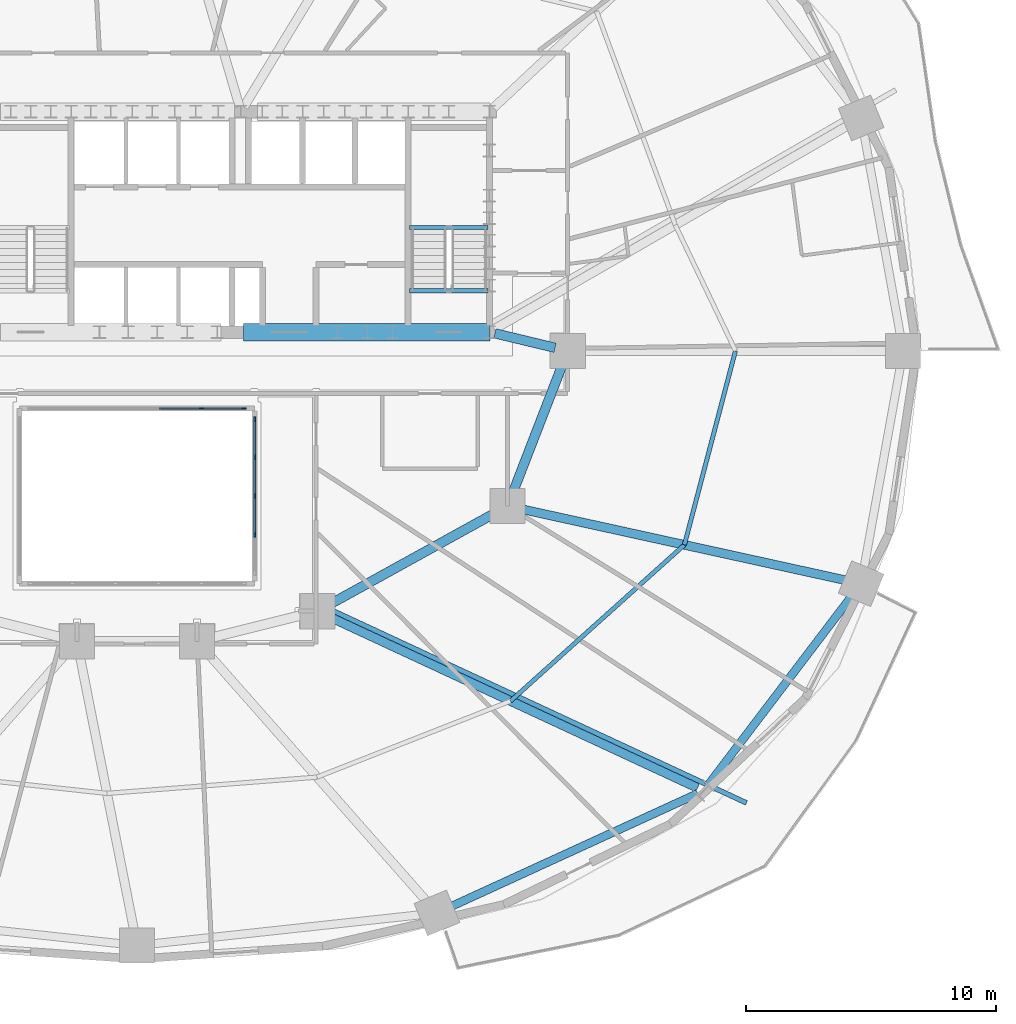
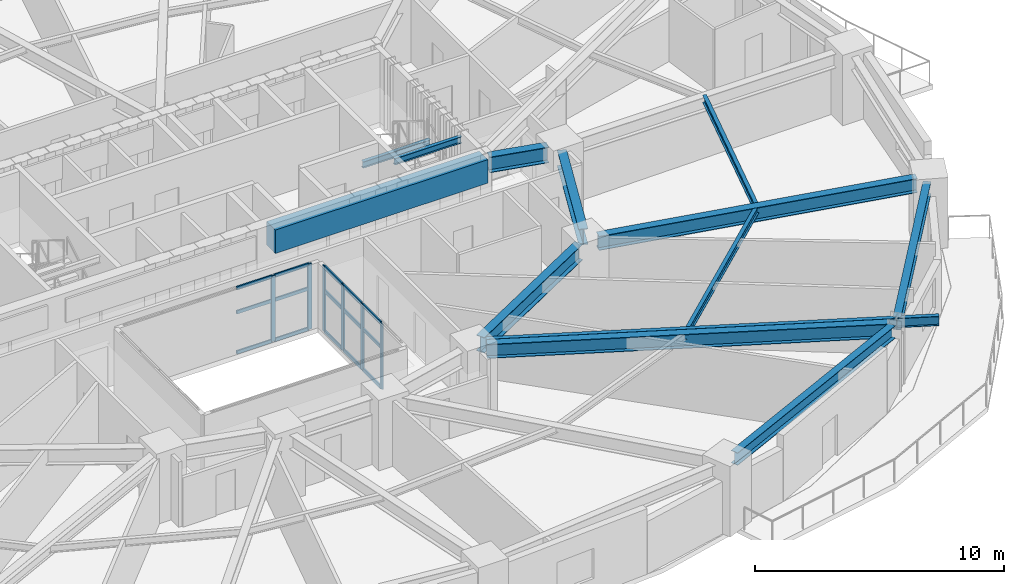
# One storey, part 6 of 17: 21 members, 13 beams, 2 elements without a shape of their own.
"""IFC4 building model written with IfcOpenShell, lengths in metres."""

import ifcopenshell
import ifcopenshell.guid

model = None  # the IFC model being written
_history = None  # IfcOwnerHistory: only IFC2X3 demands one
_inside = {}  # id of a spatial element -> (the spatial element, [elements in it])
_under = {}  # id of a project, library or spatial element -> (it, [spatial elements below it])
_declared = {}  # id of a project -> (the project, [libraries it declares])
_typed = {}  # id of a type object -> (the type object, [elements of that type])
_made_of = {}  # id of a material, layer set ... -> (it, [elements and type objects made of it])


def new_model(schema):
    """Start an empty IFC model of exactly this schema.

    Asked for "IFC4X3", IfcOpenShell would pick the latest addendum, in which some entities
    have other attributes; the version numbers below select the first issue.
    IFC2X3 requires an IfcOwnerHistory on every rooted entity: one is made here for all.
    """
    global model, _history
    if schema == "IFC4X3":
        model = ifcopenshell.file(schema_version=(4, 3, 0, 0))
    else:
        model = ifcopenshell.file(schema=schema)
    _inside.clear()
    _under.clear()
    _declared.clear()
    _typed.clear()
    _made_of.clear()
    _history = None
    if model.schema == "IFC2X3":
        org = make("IfcOrganization", Name="unknown")
        user = make(
            "IfcPersonAndOrganization",
            ThePerson=make("IfcPerson", FamilyName="unknown"),
            TheOrganization=org,
        )
        app = make(
            "IfcApplication",
            ApplicationDeveloper=org,
            Version="unknown",
            ApplicationFullName="unknown",
            ApplicationIdentifier="unknown",
        )
        _history = make(
            "IfcOwnerHistory",
            OwningUser=user,
            OwningApplication=app,
            ChangeAction="ADDED",
            CreationDate=0,
        )
    return model


def make(cls, **values):
    """One entity of the class cls with the attributes given. An attribute that is None is left unset."""
    return model.create_entity(
        cls, **{name: value for name, value in values.items() if value is not None}
    )


def rooted(cls, **values):
    """An entity with a GlobalId (a new one), such as an element, a storey or a relation."""
    return make(cls, GlobalId=ifcopenshell.guid.new(), OwnerHistory=_history, **values)


def si_unit(unit_type, name, prefix=None):
    """IfcSIUnit, for example si_unit("LENGTHUNIT", "METRE", prefix="MILLI")."""
    return make("IfcSIUnit", UnitType=unit_type, Prefix=prefix, Name=name)


def assignment(units):
    """IfcUnitAssignment: the units of a project."""
    return None if units is None else make("IfcUnitAssignment", Units=units)


def point(xyz):
    """IfcCartesianPoint."""
    return None if xyz is None else make("IfcCartesianPoint", Coordinates=xyz)


def direction(xyz):
    """IfcDirection."""
    return None if xyz is None else make("IfcDirection", DirectionRatios=xyz)


def frame(location, z_axis=None, x_axis=None):
    """IfcAxis2Placement3D, a coordinate frame: its origin and axes. An axis left out is left unset."""
    return make(
        "IfcAxis2Placement3D",
        Location=point(location),
        Axis=direction(z_axis),
        RefDirection=direction(x_axis),
    )


def frame_2d(location, x_axis=None):
    """IfcAxis2Placement2D, a coordinate frame in the plane: its origin and x axis."""
    return make(
        "IfcAxis2Placement2D", Location=point(location), RefDirection=direction(x_axis)
    )


def origin():
    """The frame at (0, 0, 0) with its axes left unset."""
    return frame((0.0, 0.0, 0.0))


def origin_2d():
    """The frame at (0, 0) in the plane with its x axis left unset."""
    return frame_2d((0.0, 0.0))


def place(relative_to, where):
    """IfcLocalPlacement: puts the frame where relative to a parent placement (None: the world)."""
    return make(
        "IfcLocalPlacement", PlacementRelTo=relative_to, RelativePlacement=where
    )


def context(
    kind, dimensions, precision=None, world=None, true_north=None, identifier=None
):
    """IfcGeometricRepresentationContext, for example the 3D "Model" context."""
    return make(
        "IfcGeometricRepresentationContext",
        ContextIdentifier=identifier,
        ContextType=kind,
        CoordinateSpaceDimension=dimensions,
        Precision=precision,
        WorldCoordinateSystem=world,
        TrueNorth=true_north,
    )


def subcontext(parent, identifier, kind, view, scale=None):
    """IfcGeometricRepresentationSubContext, for example "Body" below "Model"."""
    return make(
        "IfcGeometricRepresentationSubContext",
        ContextIdentifier=identifier,
        ContextType=kind,
        ParentContext=parent,
        TargetScale=scale,
        TargetView=view,
    )


def project(units=None, contexts=None):
    """IfcProject with its units and contexts."""
    return rooted(
        "IfcProject",
        Name="project",
        RepresentationContexts=contexts,
        UnitsInContext=assignment(units),
    )


def spatial(cls, under=None, at=None, **own):
    """A site, building, storey or space (cls), placed at a placement, below another one or the project."""
    s = rooted(cls, ObjectPlacement=at, **own)
    if under is not None:
        _under.setdefault(under.id(), (under, []))[1].append(s)
    return s


def profile(cls, at=None, kind="AREA", **sizes):
    """A parametric profile (cls). Its sizes go by their IFC names, for example OverallWidth=200.0."""
    return make(cls, ProfileType=kind, Position=at, **sizes)


def rectangle(**sizes):
    """IfcRectangleProfileDef."""
    return profile("IfcRectangleProfileDef", **sizes)


def i_section(**sizes):
    """IfcIShapeProfileDef."""
    return profile("IfcIShapeProfileDef", **sizes)


def extrude(swept, where, along, depth):
    """IfcExtrudedAreaSolid: the profile swept, set in the frame where, extruded along a direction by depth."""
    return make(
        "IfcExtrudedAreaSolid",
        SweptArea=swept,
        Position=where,
        ExtrudedDirection=direction(along),
        Depth=depth,
    )


def shape(context_of_items, identifier, shape_type, items):
    """IfcShapeRepresentation: the items that make up one representation, for example the "Body"."""
    return make(
        "IfcShapeRepresentation",
        ContextOfItems=context_of_items,
        RepresentationIdentifier=identifier,
        RepresentationType=shape_type,
        Items=items,
    )


def material(Name=None, Category=None):
    """IfcMaterial."""
    return make("IfcMaterial", Name=Name, Category=Category)


def material_profile(
    of_material, cross_section, Name=None, Category=None, Priority=None
):
    """IfcMaterialProfile: a cross section and its material."""
    return make(
        "IfcMaterialProfile",
        Name=Name,
        Material=of_material,
        Profile=cross_section,
        Priority=Priority,
        Category=Category,
    )


def profile_set(profiles, Name=None, composite=None):
    """IfcMaterialProfileSet."""
    return make(
        "IfcMaterialProfileSet",
        Name=Name,
        MaterialProfiles=profiles,
        CompositeProfile=composite,
    )


def made_of(thing, what):
    """Note that an element or type object is made of a material, layer set ...; save() writes the relation."""
    if what is not None:
        _made_of.setdefault(what.id(), (what, []))[1].append(thing)
    return thing


def type_object(cls, material=None, **own):
    """A type object (cls), such as IfcWallType, which elements share."""
    return made_of(rooted(cls, **own), material)


def element(
    cls,
    number,
    at=None,
    inside=None,
    cuts=None,
    type_object=None,
    material=None,
    context=None,
    identifier="Body",
    shape_type=None,
    held_by="IfcProductDefinitionShape",
    body=None,
    shapes=None,
    **own,
):
    """One element of the class cls, such as IfcWall. Its Tag is "e" and its number.

    at: its placement. inside: the storey or other place that contains it. cuts: it is an
    opening in that element (IfcRelVoidsElement). A single representation is given by context,
    identifier, shape_type and body (its items); several are given by shapes. held_by: the class
    of the entity that holds the representations. save() writes the other relations.
    """
    e = rooted(cls, Tag="e%d" % number, ObjectPlacement=at, **own)
    if body is not None:
        shapes = [shape(context, identifier, shape_type, body)]
    if shapes is not None:
        e.Representation = make(held_by, Representations=shapes)
    if inside is not None:
        _inside.setdefault(inside.id(), (inside, []))[1].append(e)
    if cuts is not None:
        rooted(
            "IfcRelVoidsElement", RelatingBuildingElement=cuts, RelatedOpeningElement=e
        )
    if type_object is not None:
        _typed.setdefault(type_object.id(), (type_object, []))[1].append(e)
    return made_of(e, material)


def aggregate(whole, parts):
    """IfcRelAggregates: a whole, such as a stair, and the parts it consists of."""
    return rooted("IfcRelAggregates", RelatingObject=whole, RelatedObjects=parts)


def save(model, path):
    """Write the relations noted so far, then the file.

    IfcRelAggregates (storeys below a building ...), IfcRelContainedInSpatialStructure (elements
    in a storey), IfcRelDefinesByType, IfcRelAssociatesMaterial and IfcRelDeclares: one each for
    every whole, place, type object, material and project.
    """
    for whole, parts in _under.values():
        aggregate(whole, parts)
    for where, things in _inside.values():
        rooted(
            "IfcRelContainedInSpatialStructure",
            RelatedElements=things,
            RelatingStructure=where,
        )
    for kind, things in _typed.values():
        rooted("IfcRelDefinesByType", RelatedObjects=things, RelatingType=kind)
    for what, things in _made_of.values():
        rooted("IfcRelAssociatesMaterial", RelatedObjects=things, RelatingMaterial=what)
    for by, libraries in _declared.values():
        rooted("IfcRelDeclares", RelatingContext=by, RelatedDefinitions=libraries)
    model.write(path)


model = new_model("IFC4")

# Units and contexts
model_context = context("Model", 3, precision=1e-05, world=origin(), true_north=direction((0.0, 1.0)))
body_context = subcontext(model_context, "Body", "Model", "MODEL_VIEW")
ifc_project = project(units=[si_unit("LENGTHUNIT", "METRE"), si_unit("AREAUNIT", "SQUARE_METRE"), si_unit("VOLUMEUNIT", "CUBIC_METRE"), si_unit("PLANEANGLEUNIT", "RADIAN"), si_unit("MASSUNIT", "GRAM", prefix="KILO")], contexts=[model_context])

# Site, building, storey
site_placement = place(None, origin())
site = spatial("IfcSite", under=ifc_project, at=site_placement, CompositionType="ELEMENT")
building_placement = place(site_placement, origin())
building = spatial("IfcBuilding", under=site, at=building_placement, Name="Haldorwick Loom Tower", CompositionType="ELEMENT")
storey_placement = place(building_placement, frame((0.0, 0.0, 30.89990234375)))
storey = spatial("IfcBuildingStorey", under=building, at=storey_placement, Name="L07", CompositionType="ELEMENT", Elevation=30.89990234375)

# Curtain wall, members
ifc_material_1 = material(Name="Thermally Broken Anodized Aluminium Curtain Wall Framing", Category="aluminium")
curtain_wall_type = type_object("IfcCurtainWallType", Name="ARC-CW-03", PredefinedType="NOTDEFINED", material=ifc_material_1)
curtain_wall_1_placement = place(storey_placement, origin())
curtain_wall_1 = element("IfcCurtainWall", 1, at=curtain_wall_1_placement, inside=storey, type_object=curtain_wall_type, Name="L07 Atrium Glazed Screen N", PredefinedType="NOTDEFINED")
ifc_material_profile_1 = material_profile(ifc_material_1, rectangle(XDim=0.06591796875, YDim=0.18505859375, at=origin_2d()), Name="ALU_MUL_66X185", Category="aluminium")
ifc_profile_set_1 = profile_set([ifc_material_profile_1], Name="Thermally Broken Anodized Aluminium Curtain Wall Framing")
member_type_1 = type_object("IfcMemberType", Name="ARC-CWM-03", PredefinedType="MULLION", material=ifc_profile_set_1)
member_1_placement = place(storey_placement, frame((38.580078125, 23.699951171875, 0.0), z_axis=(0.0, 0.0, 1.0), x_axis=(0.0, 1.0, 0.0)))
member_1 = element("IfcMember", 2, at=member_1_placement, type_object=member_type_1, Name="CW-03 mullion 5", PredefinedType="MULLION", context=body_context, shape_type="SweptSolid", body=[
    extrude(rectangle(XDim=0.06591796875, YDim=0.18505859375, at=origin_2d()), origin(), (0.0, 0.0, 1.0), 3.210205078125),
])
member_2_placement = place(storey_placement, frame((40.26708984375, 23.699951171875, 0.0), z_axis=(0.0, 0.0, 1.0), x_axis=(0.0, 1.0, 0.0)))
member_2 = element("IfcMember", 3, at=member_2_placement, type_object=member_type_1, Name="CW-03 mullion 6", PredefinedType="MULLION", context=body_context, shape_type="SweptSolid", body=[
    extrude(rectangle(XDim=0.06591796875, YDim=0.18505859375, at=origin_2d()), origin(), (0.0, 0.0, 1.0), 3.210205078125),
])

curtain_wall_2_placement = place(storey_placement, origin())
curtain_wall_2 = element("IfcCurtainWall", 4, at=curtain_wall_2_placement, inside=storey, type_object=curtain_wall_type, Name="L07 Atrium Glazed Screen E", PredefinedType="NOTDEFINED")
member_3_placement = place(storey_placement, frame((40.699951171875, 23.26708984375, 0.0), z_axis=(0.0, 0.0, 1.0), x_axis=(1.0, 0.0, 0.0)))
member_3 = element("IfcMember", 5, at=member_3_placement, type_object=member_type_1, Name="CW-03 mullion 1", PredefinedType="MULLION", context=body_context, shape_type="SweptSolid", body=[
    extrude(rectangle(XDim=0.06591796875, YDim=0.18505859375, at=origin_2d()), origin(), (0.0, 0.0, 1.0), 3.210205078125),
])
member_4_placement = place(storey_placement, frame((40.699951171875, 21.75, 0.0), z_axis=(0.0, 0.0, 1.0), x_axis=(1.0, 0.0, 0.0)))
member_4 = element("IfcMember", 6, at=member_4_placement, type_object=member_type_1, Name="CW-03 mullion 2", PredefinedType="MULLION", context=body_context, shape_type="SweptSolid", body=[
    extrude(rectangle(XDim=0.06591796875, YDim=0.18505859375, at=origin_2d()), origin(), (0.0, 0.0, 1.0), 3.210205078125),
])
member_5_placement = place(storey_placement, frame((40.699951171875, 20.199951171875, 0.0), z_axis=(0.0, 0.0, 1.0), x_axis=(1.0, 0.0, 0.0)))
member_5 = element("IfcMember", 7, at=member_5_placement, type_object=member_type_1, Name="CW-03 mullion 3", PredefinedType="MULLION", context=body_context, shape_type="SweptSolid", body=[
    extrude(rectangle(XDim=0.06591796875, YDim=0.18505859375, at=origin_2d()), origin(), (0.0, 0.0, 1.0), 3.210205078125),
])
member_6_placement = place(storey_placement, frame((40.699951171875, 18.64990234375, 0.0), z_axis=(0.0, 0.0, 1.0), x_axis=(1.0, 0.0, 0.0)))
member_6 = element("IfcMember", 8, at=member_6_placement, type_object=member_type_1, Name="CW-03 mullion 4", PredefinedType="MULLION", context=body_context, shape_type="SweptSolid", body=[
    extrude(rectangle(XDim=0.06591796875, YDim=0.18505859375, at=origin_2d()), origin(), (0.0, 0.0, 1.0), 3.210205078125),
])

# Member
ifc_material_profile_2 = material_profile(ifc_material_1, rectangle(XDim=0.06591796875, YDim=0.1650390625, at=origin_2d()), Name="ALU_TRN_66X165", Category="aluminium")
ifc_profile_set_2 = profile_set([ifc_material_profile_2], Name="Thermally Broken Anodized Aluminium Curtain Wall Framing")
member_type_2 = type_object("IfcMemberType", Name="ARC-CWT-03", PredefinedType="USERDEFINED", material=ifc_profile_set_2)
member_7_placement = place(storey_placement, frame((36.89306640625, 23.699951171875, 0.033203125), z_axis=(1.0, 0.0, 0.0), x_axis=(0.0, 1.0, 0.0)))
member_7 = element("IfcMember", 9, at=member_7_placement, type_object=member_type_2, Name="CW-03 transom 4.1", ObjectType="TRANSOM", PredefinedType="USERDEFINED", context=body_context, shape_type="SweptSolid", body=[
    extrude(rectangle(XDim=0.06591796875, YDim=0.1650390625, at=origin_2d()), origin(), (0.0, 0.0, 1.0), 1.654052734375),
])

member_8_placement = place(storey_placement, frame((36.89306640625, 23.699951171875, 2.0), z_axis=(1.0, 0.0, 0.0), x_axis=(0.0, 1.0, 0.0)))
member_8 = element("IfcMember", 10, at=member_8_placement, type_object=member_type_2, Name="CW-03 transom 4.2", ObjectType="TRANSOM", PredefinedType="USERDEFINED", context=body_context, shape_type="SweptSolid", body=[
    extrude(rectangle(XDim=0.06591796875, YDim=0.1650390625, at=origin_2d()), origin(), (0.0, 0.0, 1.0), 1.654052734375),
])

member_9_placement = place(storey_placement, frame((36.89306640625, 23.699951171875, 3.177001953125), z_axis=(1.0, 0.0, 0.0), x_axis=(0.0, 1.0, 0.0)))
member_9 = element("IfcMember", 11, at=member_9_placement, type_object=member_type_2, Name="CW-03 transom 4.3", ObjectType="TRANSOM", PredefinedType="USERDEFINED", context=body_context, shape_type="SweptSolid", body=[
    extrude(rectangle(XDim=0.06591796875, YDim=0.1650390625, at=origin_2d()), origin(), (0.0, 0.0, 1.0), 1.654052734375),
])

member_10_placement = place(storey_placement, frame((38.613037109375, 23.699951171875, 0.033203125), z_axis=(1.0, 0.0, 0.0), x_axis=(0.0, 1.0, 0.0)))
member_10 = element("IfcMember", 12, at=member_10_placement, type_object=member_type_2, Name="CW-03 transom 5.1", ObjectType="TRANSOM", PredefinedType="USERDEFINED", context=body_context, shape_type="SweptSolid", body=[
    extrude(rectangle(XDim=0.06591796875, YDim=0.1650390625, at=origin_2d()), origin(), (0.0, 0.0, 1.0), 1.620849609375),
])

member_11_placement = place(storey_placement, frame((38.613037109375, 23.699951171875, 2.0), z_axis=(1.0, 0.0, 0.0), x_axis=(0.0, 1.0, 0.0)))
member_11 = element("IfcMember", 13, at=member_11_placement, type_object=member_type_2, Name="CW-03 transom 5.2", ObjectType="TRANSOM", PredefinedType="USERDEFINED", context=body_context, shape_type="SweptSolid", body=[
    extrude(rectangle(XDim=0.06591796875, YDim=0.1650390625, at=origin_2d()), origin(), (0.0, 0.0, 1.0), 1.620849609375),
])

member_12_placement = place(storey_placement, frame((38.613037109375, 23.699951171875, 3.177001953125), z_axis=(1.0, 0.0, 0.0), x_axis=(0.0, 1.0, 0.0)))
member_12 = element("IfcMember", 14, at=member_12_placement, type_object=member_type_2, Name="CW-03 transom 5.3", ObjectType="TRANSOM", PredefinedType="USERDEFINED", context=body_context, shape_type="SweptSolid", body=[
    extrude(rectangle(XDim=0.06591796875, YDim=0.1650390625, at=origin_2d()), origin(), (0.0, 0.0, 1.0), 1.620849609375),
])

aggregate(curtain_wall_1, [member_1, member_2, member_7, member_8, member_9, member_10, member_11, member_12])

member_13_placement = place(storey_placement, frame((40.699951171875, 23.23388671875, 0.033203125), z_axis=(0.0, -1.0, 0.0), x_axis=(1.0, 0.0, 0.0)))
member_13 = element("IfcMember", 15, at=member_13_placement, type_object=member_type_2, Name="CW-03 transom 1.1", ObjectType="TRANSOM", PredefinedType="USERDEFINED", context=body_context, shape_type="SweptSolid", body=[
    extrude(rectangle(XDim=0.06591796875, YDim=0.1650390625, at=origin_2d()), origin(), (0.0, 0.0, 1.0), 1.450927734375),
])

member_14_placement = place(storey_placement, frame((40.699951171875, 23.23388671875, 2.0), z_axis=(0.0, -1.0, 0.0), x_axis=(1.0, 0.0, 0.0)))
member_14 = element("IfcMember", 16, at=member_14_placement, type_object=member_type_2, Name="CW-03 transom 1.2", ObjectType="TRANSOM", PredefinedType="USERDEFINED", context=body_context, shape_type="SweptSolid", body=[
    extrude(rectangle(XDim=0.06591796875, YDim=0.1650390625, at=origin_2d()), origin(), (0.0, 0.0, 1.0), 1.450927734375),
])

member_15_placement = place(storey_placement, frame((40.699951171875, 23.23388671875, 3.177001953125), z_axis=(0.0, -1.0, 0.0), x_axis=(1.0, 0.0, 0.0)))
member_15 = element("IfcMember", 17, at=member_15_placement, type_object=member_type_2, Name="CW-03 transom 1.3", ObjectType="TRANSOM", PredefinedType="USERDEFINED", context=body_context, shape_type="SweptSolid", body=[
    extrude(rectangle(XDim=0.06591796875, YDim=0.1650390625, at=origin_2d()), origin(), (0.0, 0.0, 1.0), 1.450927734375),
])

member_16_placement = place(storey_placement, frame((40.699951171875, 21.717041015625, 0.033203125), z_axis=(0.0, -1.0, 0.0), x_axis=(1.0, 0.0, 0.0)))
member_16 = element("IfcMember", 18, at=member_16_placement, type_object=member_type_2, Name="CW-03 transom 2.1", ObjectType="TRANSOM", PredefinedType="USERDEFINED", context=body_context, shape_type="SweptSolid", body=[
    extrude(rectangle(XDim=0.06591796875, YDim=0.1650390625, at=origin_2d()), origin(), (0.0, 0.0, 1.0), 1.484130859375),
])

member_17_placement = place(storey_placement, frame((40.699951171875, 21.717041015625, 2.0), z_axis=(0.0, -1.0, 0.0), x_axis=(1.0, 0.0, 0.0)))
member_17 = element("IfcMember", 19, at=member_17_placement, type_object=member_type_2, Name="CW-03 transom 2.2", ObjectType="TRANSOM", PredefinedType="USERDEFINED", context=body_context, shape_type="SweptSolid", body=[
    extrude(rectangle(XDim=0.06591796875, YDim=0.1650390625, at=origin_2d()), origin(), (0.0, 0.0, 1.0), 1.484130859375),
])

member_18_placement = place(storey_placement, frame((40.699951171875, 21.717041015625, 3.177001953125), z_axis=(0.0, -1.0, 0.0), x_axis=(1.0, 0.0, 0.0)))
member_18 = element("IfcMember", 20, at=member_18_placement, type_object=member_type_2, Name="CW-03 transom 2.3", ObjectType="TRANSOM", PredefinedType="USERDEFINED", context=body_context, shape_type="SweptSolid", body=[
    extrude(rectangle(XDim=0.06591796875, YDim=0.1650390625, at=origin_2d()), origin(), (0.0, 0.0, 1.0), 1.484130859375),
])

member_19_placement = place(storey_placement, frame((40.699951171875, 20.1669921875, 0.033203125), z_axis=(0.0, -1.0, 0.0), x_axis=(1.0, 0.0, 0.0)))
member_19 = element("IfcMember", 21, at=member_19_placement, type_object=member_type_2, Name="CW-03 transom 3.1", ObjectType="TRANSOM", PredefinedType="USERDEFINED", context=body_context, shape_type="SweptSolid", body=[
    extrude(rectangle(XDim=0.06591796875, YDim=0.1650390625, at=origin_2d()), origin(), (0.0, 0.0, 1.0), 1.48388671875),
])

member_20_placement = place(storey_placement, frame((40.699951171875, 20.1669921875, 2.0), z_axis=(0.0, -1.0, 0.0), x_axis=(1.0, 0.0, 0.0)))
member_20 = element("IfcMember", 22, at=member_20_placement, type_object=member_type_2, Name="CW-03 transom 3.2", ObjectType="TRANSOM", PredefinedType="USERDEFINED", context=body_context, shape_type="SweptSolid", body=[
    extrude(rectangle(XDim=0.06591796875, YDim=0.1650390625, at=origin_2d()), origin(), (0.0, 0.0, 1.0), 1.48388671875),
])

member_21_placement = place(storey_placement, frame((40.699951171875, 20.1669921875, 3.177001953125), z_axis=(0.0, -1.0, 0.0), x_axis=(1.0, 0.0, 0.0)))
member_21 = element("IfcMember", 23, at=member_21_placement, type_object=member_type_2, Name="CW-03 transom 3.3", ObjectType="TRANSOM", PredefinedType="USERDEFINED", context=body_context, shape_type="SweptSolid", body=[
    extrude(rectangle(XDim=0.06591796875, YDim=0.1650390625, at=origin_2d()), origin(), (0.0, 0.0, 1.0), 1.48388671875),
])

aggregate(curtain_wall_2, [member_3, member_4, member_5, member_6, member_13, member_14, member_15, member_16, member_17, member_18, member_19, member_20, member_21])

# Beams
ifc_material_2 = material(Name="Steel CSA G40.21 350W", Category="steel")
ifc_material_profile_3 = material_profile(ifc_material_2, i_section(OverallWidth=0.193115234375, OverallDepth=0.466064453125, WebThickness=0.011474609375, FlangeThickness=0.01904296875, at=origin_2d()), Name="W460X97", Category="steel")
ifc_profile_set_3 = profile_set([ifc_material_profile_3], Name="Steel CSA G40.21 350W")
beam_type_1 = type_object("IfcBeamType", Name="STR-BM-BAL460", PredefinedType="BEAM", material=ifc_profile_set_3)
beam_1_placement = place(storey_placement, frame((43.78955078125, 15.634765625, 2.97705078125), z_axis=(0.906835669686, -0.42148436292, 0.0), x_axis=(0.42148436292, 0.906835669686, 0.0)))
element("IfcBeam", 24, at=beam_1_placement, inside=storey, type_object=beam_type_1, Name="L07 Continuous Back-Spanned Balcony Beam 1", PredefinedType="BEAM", context=body_context, shape_type="SweptSolid", body=[
    extrude(i_section(OverallWidth=0.193115234375, OverallDepth=0.466064453125, WebThickness=0.011474609375, FlangeThickness=0.01904296875, at=origin_2d()), origin(), (0.0, 0.0, 1.0), 18.245361328125),
])
ifc_material_3 = material(Name="Concrete C60 (60 MPa)", Category="concrete")
ifc_material_profile_4 = material_profile(ifc_material_3, rectangle(XDim=0.699951171875, YDim=1.14990234375, at=origin_2d()), Name="RC700X1150", Category="concrete")
ifc_profile_set_4 = profile_set([ifc_material_profile_4], Name="Concrete C60 (60 MPa)")
beam_type_2 = type_object("IfcBeamType", Name="STR-BM-CB1150", PredefinedType="LINTEL", material=ifc_profile_set_4)
beam_2_placement = place(storey_placement, frame((40.25, 26.75, 2.635009765625), z_axis=(1.0, 0.0, 0.0), x_axis=(0.0, 1.0, 0.0)))
element("IfcBeam", 25, at=beam_2_placement, inside=storey, type_object=beam_type_2, Name="L07 Core Coupling Beam CB-S3", PredefinedType="LINTEL", context=body_context, shape_type="SweptSolid", body=[
    extrude(rectangle(XDim=0.699951171875, YDim=1.14990234375, at=origin_2d()), origin(), (0.0, 0.0, 1.0), 9.85009765625),
])
ifc_material_profile_5 = material_profile(ifc_material_2, i_section(OverallWidth=0.172119140625, OverallDepth=0.35791015625, WebThickness=0.0078125, FlangeThickness=0.01318359375, at=origin_2d()), Name="W360X57", Category="steel")
ifc_profile_set_5 = profile_set([ifc_material_profile_5], Name="Steel CSA G40.21 350W")
beam_type_3 = type_object("IfcBeamType", Name="STR-BM-J360", PredefinedType="JOIST", material=ifc_profile_set_5)
beam_3_placement = place(storey_placement, frame((50.9150390625, 12.01416015625, 3.031005859375), z_axis=(0.743981830112, 0.668199847698, 0.0), x_axis=(-0.668199847698, 0.743981830112, 0.0)))
element("IfcBeam", 26, at=beam_3_placement, inside=storey, type_object=beam_type_3, Name="L07 Mid-Bay Secondary Joist 15", PredefinedType="JOIST", context=body_context, shape_type="SweptSolid", body=[
    extrude(i_section(OverallWidth=0.172119140625, OverallDepth=0.35791015625, WebThickness=0.0078125, FlangeThickness=0.01318359375, at=origin_2d()), origin(), (0.0, 0.0, 1.0), 9.3330078125),
])
beam_4_placement = place(storey_placement, frame((57.858642578125, 18.25048828125, 3.031005859375), z_axis=(0.2544888003, 0.967075721193, 0.0), x_axis=(-0.967075721193, 0.2544888003, 0.0)))
element("IfcBeam", 27, at=beam_4_placement, inside=storey, type_object=beam_type_3, Name="L07 Mid-Bay Secondary Joist 16", PredefinedType="JOIST", context=body_context, shape_type="SweptSolid", body=[
    extrude(i_section(OverallWidth=0.172119140625, OverallDepth=0.35791015625, WebThickness=0.0078125, FlangeThickness=0.01318359375, at=origin_2d()), origin(), (0.0, 0.0, 1.0), 8.013427734375),
])
ifc_material_profile_6 = material_profile(ifc_material_2, i_section(OverallWidth=0.324951171875, OverallDepth=0.615966796875, WebThickness=0.013916015625, FlangeThickness=0.021484375, at=origin_2d()), Name="W610X174", Category="steel")
ifc_profile_set_6 = profile_set([ifc_material_profile_6], Name="Steel CSA G40.21 350W")
beam_type_4 = type_object("IfcBeamType", Name="STR-BM-SP610", PredefinedType="SPANDREL", material=ifc_profile_set_6)
beam_5_placement = place(storey_placement, frame((48.45068359375, 3.76611328125, 2.902099609375), z_axis=(0.909173805321, 0.416416848504, 0.0), x_axis=(-0.416416848504, 0.909173805321, 0.0)))
element("IfcBeam", 28, at=beam_5_placement, inside=storey, type_object=beam_type_4, Name="L07 Perimeter Spandrel 14", PredefinedType="SPANDREL", context=body_context, shape_type="SweptSolid", body=[
    extrude(i_section(OverallWidth=0.324951171875, OverallDepth=0.615966796875, WebThickness=0.013916015625, FlangeThickness=0.021484375, at=origin_2d()), origin(), (0.0, 0.0, 1.0), 10.92138671875),
])
beam_6_placement = place(storey_placement, frame((58.796630859375, 8.647216796875, 2.902099609375), z_axis=(0.605084557744, 0.796161213562, 0.0), x_axis=(-0.796161213562, 0.605084557744, 0.0)))
element("IfcBeam", 29, at=beam_6_placement, inside=storey, type_object=beam_type_4, Name="L07 Perimeter Spandrel 15", PredefinedType="SPANDREL", context=body_context, shape_type="SweptSolid", body=[
    extrude(i_section(OverallWidth=0.324951171875, OverallDepth=0.615966796875, WebThickness=0.013916015625, FlangeThickness=0.021484375, at=origin_2d()), origin(), (0.0, 0.0, 1.0), 9.595703125),
])
ifc_material_profile_7 = material_profile(ifc_material_2, i_section(OverallWidth=0.166015625, OverallDepth=0.31298828125, WebThickness=0.006591796875, FlangeThickness=0.01123046875, at=origin_2d()), Name="W310X45", Category="steel")
ifc_profile_set_7 = profile_set([ifc_material_profile_7], Name="Steel CSA G40.21 350W")
beam_type_5 = type_object("IfcBeamType", Name="STR-BM-STRM", PredefinedType="BEAM", material=ifc_profile_set_7)
for number, where, z_axis, x_axis, name in (
    (30, (46.889892578125, 28.39990234375, 3.0537109375), (1.0, 0.0, 0.0), (0.0, 1.0, 0.0), "L07 Stair ST-02 Landing Edge Trimmer"),
    (31, (46.889892578125, 30.919921875, 1.36865234375), (1.0, 0.0, 0.0), (0.0, 1.0, 0.0), "L07 Stair ST-02 Half-Landing Trimmer 1"),
):
    element("IfcBeam", number, at=place(storey_placement, frame(where, z_axis=z_axis, x_axis=x_axis)), inside=storey, type_object=beam_type_5, Name=name, PredefinedType="BEAM", context=body_context, shape_type="SweptSolid", body=[
        extrude(i_section(OverallWidth=0.166015625, OverallDepth=0.31298828125, WebThickness=0.006591796875, FlangeThickness=0.01123046875, at=origin_2d()), origin(), (0.0, 0.0, 1.0), 3.1201171875),
    ])
ifc_material_profile_8 = material_profile(ifc_material_2, i_section(OverallWidth=0.35498046875, OverallDepth=0.695068359375, WebThickness=0.015380859375, FlangeThickness=0.02490234375, at=origin_2d()), Name="W690X217", Category="steel")
ifc_profile_set_8 = profile_set([ifc_material_profile_8], Name="Steel CSA G40.21 350W")
beam_type_6 = type_object("IfcBeamType", Name="STR-BM-W690", PredefinedType="BEAM", material=ifc_profile_set_8)
beam_7_placement = place(storey_placement, frame((43.671630859375, 15.380859375, 2.862548828125), z_axis=(0.90683498532, -0.421485835349, 0.0), x_axis=(0.421485835349, 0.90683498532, 0.0)))
element("IfcBeam", 32, at=beam_7_placement, inside=storey, type_object=beam_type_6, Name="L07 Radial Floor Girder 15", PredefinedType="BEAM", context=body_context, shape_type="SweptSolid", body=[
    extrude(i_section(OverallWidth=0.35498046875, OverallDepth=0.695068359375, WebThickness=0.015380859375, FlangeThickness=0.02490234375, at=origin_2d()), origin(), (0.0, 0.0, 1.0), 16.220458984375),
])
beam_8_placement = place(storey_placement, frame((51.307861328125, 19.6884765625, 2.862548828125), z_axis=(0.976740159434, -0.214426353203, 0.0), x_axis=(0.214426353203, 0.976740159434, 0.0)))
element("IfcBeam", 33, at=beam_8_placement, inside=storey, type_object=beam_type_6, Name="L07 Radial Floor Girder 16", PredefinedType="BEAM", context=body_context, shape_type="SweptSolid", body=[
    extrude(i_section(OverallWidth=0.35498046875, OverallDepth=0.695068359375, WebThickness=0.015380859375, FlangeThickness=0.02490234375, at=origin_2d()), origin(), (0.0, 0.0, 1.0), 13.41357421875),
])
ifc_material_profile_9 = material_profile(ifc_material_2, i_section(OverallWidth=0.381103515625, OverallDepth=0.77294921875, WebThickness=0.0166015625, FlangeThickness=0.027587890625, at=origin_2d()), Name="W760X257", Category="steel")
ifc_profile_set_9 = profile_set([ifc_material_profile_9], Name="Steel CSA G40.21 350W")
beam_type_7 = type_object("IfcBeamType", Name="STR-BM-W760", PredefinedType="BEAM", material=ifc_profile_set_9)
beam_9_placement = place(storey_placement, frame((50.288818359375, 26.697509765625, 2.823486328125), z_axis=(0.97247055837, -0.233025777764, 0.0), x_axis=(0.233025777764, 0.97247055837, 0.0)))
element("IfcBeam", 34, at=beam_9_placement, inside=storey, type_object=beam_type_7, Name="L07 Inner Ring Girder 1", PredefinedType="BEAM", context=body_context, shape_type="SweptSolid", body=[
    extrude(i_section(OverallWidth=0.381103515625, OverallDepth=0.77294921875, WebThickness=0.0166015625, FlangeThickness=0.027587890625, at=origin_2d()), origin(), (0.0, 0.0, 1.0), 2.4736328125),
])
beam_10_placement = place(storey_placement, frame((53.01220703125, 25.51513671875, 2.823486328125), z_axis=(-0.360964792353, -0.93257944363, 0.0), x_axis=(0.93257944363, -0.360964792353, 0.0)))
element("IfcBeam", 35, at=beam_10_placement, inside=storey, type_object=beam_type_7, Name="L07 Inner Ring Girder 2", PredefinedType="BEAM", context=body_context, shape_type="SweptSolid", body=[
    extrude(i_section(OverallWidth=0.381103515625, OverallDepth=0.77294921875, WebThickness=0.0166015625, FlangeThickness=0.027587890625, at=origin_2d()), origin(), (0.0, 0.0, 1.0), 5.6083984375),
])
beam_11_placement = place(storey_placement, frame((50.344970703125, 19.548583984375, 2.823486328125), z_axis=(-0.875244382146, -0.483680960471, 0.0), x_axis=(0.483680960471, -0.875244382146, 0.0)))
element("IfcBeam", 36, at=beam_11_placement, inside=storey, type_object=beam_type_7, Name="L07 Inner Ring Girder 3", PredefinedType="BEAM", context=body_context, shape_type="SweptSolid", body=[
    extrude(i_section(OverallWidth=0.381103515625, OverallDepth=0.77294921875, WebThickness=0.0166015625, FlangeThickness=0.027587890625, at=origin_2d()), origin(), (0.0, 0.0, 1.0), 7.6435546875),
])

save(model, "model.ifc")
